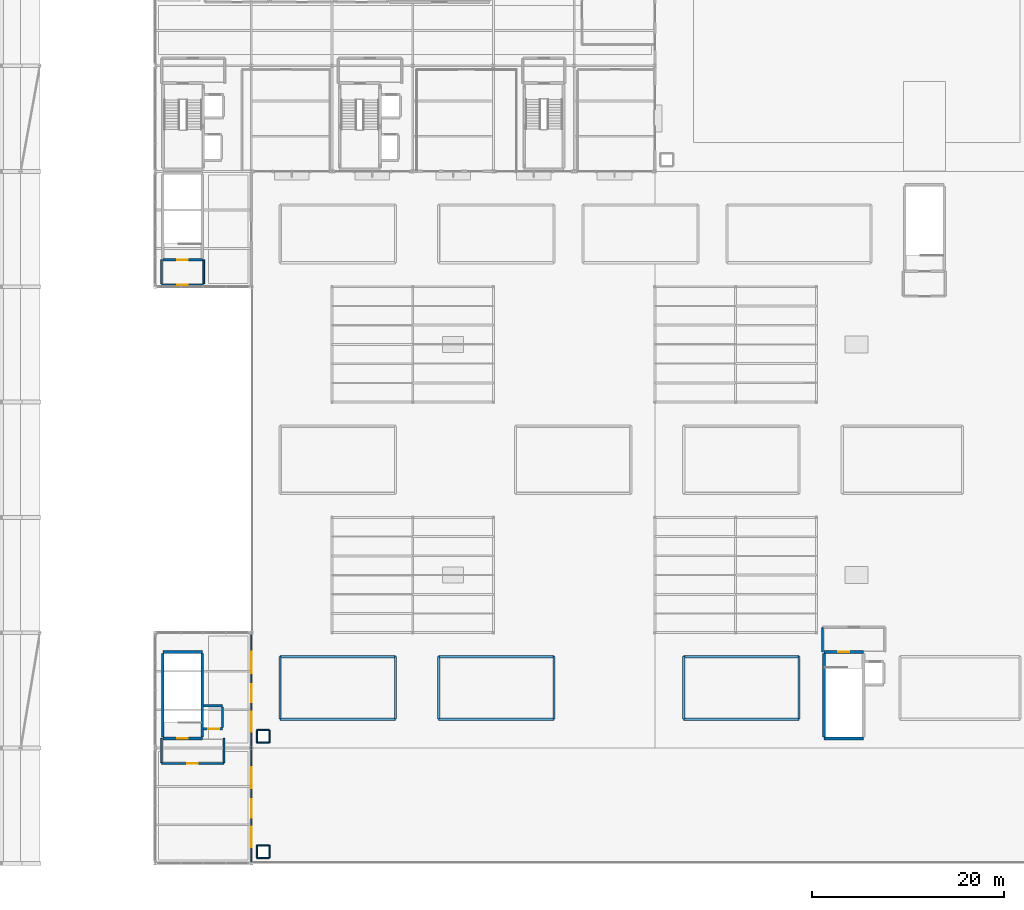
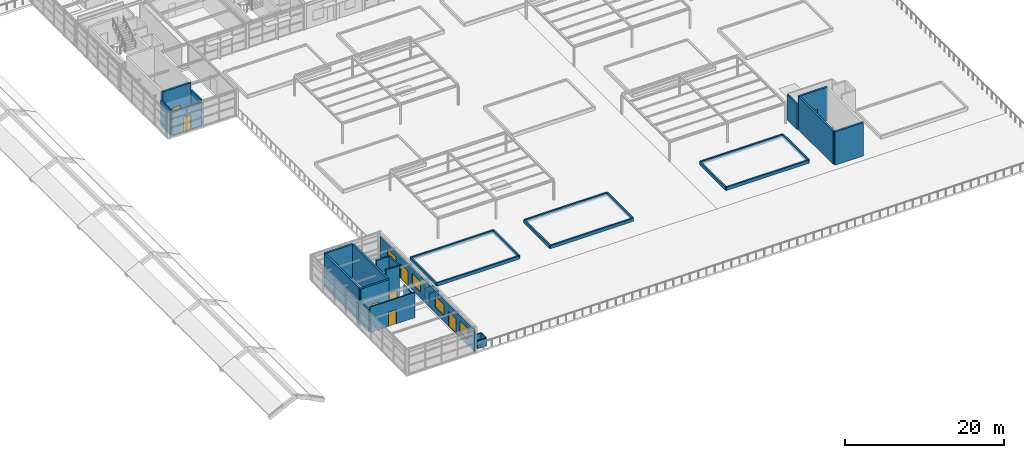
# One storey, part 39 of 49: 40 walls, 8 doors, 4 windows, 12 openings.
"""IFC4 building model written with IfcOpenShell, lengths in metres."""

from ifc_helpers import new_model, si_unit, direction, frame, frame_2d, origin, place, context, subcontext, project, spatial, rectangle, extrude, material, layer, layer_set, type_object, element, fill, save


model = new_model("IFC4")

# Units and contexts
model_context = context("Model", 3, precision=1e-05, world=origin(), true_north=direction((0.0, 1.0)))
body_context = subcontext(model_context, "Body", "Model", "MODEL_VIEW")
ifc_project = project(units=[si_unit("LENGTHUNIT", "METRE"), si_unit("AREAUNIT", "SQUARE_METRE"), si_unit("VOLUMEUNIT", "CUBIC_METRE"), si_unit("PLANEANGLEUNIT", "RADIAN"), si_unit("MASSUNIT", "GRAM", prefix="KILO")], contexts=[model_context])

# Site, building, storey
site_placement = place(None, origin())
site = spatial("IfcSite", under=ifc_project, at=site_placement, CompositionType="ELEMENT")
building_placement = place(site_placement, origin())
building = spatial("IfcBuilding", under=site, at=building_placement, Name="Sitalva Quay Ferry Terminal", CompositionType="ELEMENT")
storey_placement = place(building_placement, frame((0.0, 0.0, 10.199951171875)))
storey = spatial("IfcBuildingStorey", under=building, at=storey_placement, Name="L03", CompositionType="ELEMENT", Elevation=10.199951171875)

# Wall, opening, door
ifc_material_1 = material(Name="Concrete C40/50", Category="concrete")
ifc_layer_1 = layer(ifc_material_1, 0.280029296875)
ifc_layer_set_1 = layer_set([ifc_layer_1], Name="Concrete C40/50")
wall_type_1 = type_object("IfcWallType", Name="Wall_CoreShear_280", PredefinedType="SHEAR", material=ifc_layer_set_1)
wall_1_placement = place(storey_placement, frame((74.800048828125, 19.0, 0.0), z_axis=(0.0, 0.0, 1.0), x_axis=(1.0, 0.0, 0.0)))
wall_1 = element("IfcWall", 1, at=wall_1_placement, inside=storey, type_object=wall_type_1, Name="Core C6 L03 south shear wall", PredefinedType="SHEAR", context=body_context, shape_type="SweptSolid", body=[
    extrude(rectangle(XDim=4.099853515625, YDim=0.280029296875, at=frame_2d((2.0498046875, 0.0))), origin(), (0.0, 0.0, 1.0), 5.10009765625),
])
opening_1_placement = place(wall_1_placement, frame((1.5, 0.0, 0.0)))
opening_1 = element("IfcOpeningElement", 2, at=opening_1_placement, cuts=wall_1, Name="Opening D-L03-024", PredefinedType="OPENING", context=body_context, shape_type="SweptSolid", body=[
    extrude(rectangle(XDim=1.10009765625, YDim=2.199951171875, at=frame_2d((0.550048828125, 1.10009765625))), frame((0.0, 0.14990234375, 0.0), z_axis=(0.0, -1.0, 0.0), x_axis=(1.0, 0.0, 0.0)), (0.0, 0.0, 1.0), 0.300048828125),
])
ifc_material_2 = material(Name="Galvanised Steel Fire Door", Category="steel")
door_type_1 = type_object("IfcDoorType", Name="Door_CoreExit_1100x2200", OperationType="SINGLE_SWING_LEFT", PredefinedType="DOOR", material=ifc_material_2)
door_1_placement = place(opening_1_placement, origin())
door_1 = element("IfcDoor", 3, at=door_1_placement, inside=storey, type_object=door_type_1, Name="DOOR-D-L03-024 Protected stair ST-06 door D-L03-024", OperationType="SINGLE_SWING_RIGHT", OverallHeight=2.199951171875, OverallWidth=1.10009765625, PredefinedType="DOOR", context=body_context, shape_type="SweptSolid", body=[
    extrude(rectangle(XDim=1.10009765625, YDim=2.199951171875, at=frame_2d((0.550048828125, 1.10009765625))), frame((0.0, 0.02490234375, 0.0), z_axis=(0.0, -1.0, 0.0), x_axis=(1.0, 0.0, 0.0)), (0.0, 0.0, 1.0), 0.050048828125),
])
fill(opening_1, door_1)

# Walls
wall_2_placement = place(storey_placement, frame((74.800048828125, 28.0, 0.0), z_axis=(0.0, 0.0, 1.0), x_axis=(1.0, 0.0, 0.0)))
element("IfcWall", 4, at=wall_2_placement, inside=storey, type_object=wall_type_1, Name="Core C6 L03 north shear wall", PredefinedType="SHEAR", context=body_context, shape_type="SweptSolid", body=[
    extrude(rectangle(XDim=4.099853515625, YDim=0.280029296875, at=frame_2d((2.0498046875, 0.0))), origin(), (0.0, 0.0, 1.0), 5.10009765625),
])
for number, where, z_axis, x_axis, name in (
    (5, (74.800048828125, 19.139892578125, 0.0), (0.0, 0.0, 1.0), (0.0, 1.0, 0.0), "Core C6 L03 west shear wall"),
    (6, (78.89990234375, 19.139892578125, 0.0), (0.0, 0.0, 1.0), (0.0, 1.0, 0.0), "Core C6 L03 east shear wall"),
):
    element("IfcWall", number, at=place(storey_placement, frame(where, z_axis=z_axis, x_axis=x_axis)), inside=storey, type_object=wall_type_1, Name=name, PredefinedType="SHEAR", context=body_context, shape_type="SweptSolid", body=[
        extrude(rectangle(XDim=8.72021484375, YDim=0.280029296875, at=frame_2d((4.360107421875, 0.0))), origin(), (0.0, 0.0, 1.0), 5.10009765625),
    ])
wall_3_placement = place(storey_placement, frame((143.60009765625, 19.0, 0.0), z_axis=(0.0, 0.0, 1.0), x_axis=(1.0, 0.0, 0.0)))
element("IfcWall", 7, at=wall_3_placement, inside=storey, type_object=wall_type_1, Name="Core C8 L03 south shear wall", PredefinedType="SHEAR", context=body_context, shape_type="SweptSolid", body=[
    extrude(rectangle(XDim=4.099853515625, YDim=0.280029296875, at=frame_2d((2.0498046875, 0.0))), origin(), (0.0, 0.0, 1.0), 5.10009765625),
])

# Wall, opening, door
wall_4_placement = place(storey_placement, frame((143.60009765625, 28.0, 0.0), z_axis=(0.0, 0.0, 1.0), x_axis=(1.0, 0.0, 0.0)))
wall_4 = element("IfcWall", 8, at=wall_4_placement, inside=storey, type_object=wall_type_1, Name="Core C8 L03 north shear wall", PredefinedType="SHEAR", context=body_context, shape_type="SweptSolid", body=[
    extrude(rectangle(XDim=4.099853515625, YDim=0.280029296875, at=frame_2d((2.0498046875, 0.0))), origin(), (0.0, 0.0, 1.0), 5.10009765625),
])
opening_2_placement = place(wall_4_placement, frame((1.5, 0.0, 0.0)))
opening_2 = element("IfcOpeningElement", 9, at=opening_2_placement, cuts=wall_4, Name="Opening D-L03-031", PredefinedType="OPENING", context=body_context, shape_type="SweptSolid", body=[
    extrude(rectangle(XDim=1.10009765625, YDim=2.199951171875, at=frame_2d((0.550048828125, 1.10009765625))), frame((0.0, 0.14990234375, 0.0), z_axis=(0.0, -1.0, 0.0), x_axis=(1.0, 0.0, 0.0)), (0.0, 0.0, 1.0), 0.300048828125),
])
door_2_placement = place(opening_2_placement, origin())
door_2 = element("IfcDoor", 10, at=door_2_placement, inside=storey, type_object=door_type_1, Name="DOOR-D-L03-031 Protected stair ST-08 door D-L03-031", OperationType="SINGLE_SWING_LEFT", OverallHeight=2.199951171875, OverallWidth=1.10009765625, PredefinedType="DOOR", context=body_context, shape_type="SweptSolid", body=[
    extrude(rectangle(XDim=1.10009765625, YDim=2.199951171875, at=frame_2d((0.550048828125, 1.10009765625))), frame((0.0, 0.02490234375, 0.0), z_axis=(0.0, -1.0, 0.0), x_axis=(1.0, 0.0, 0.0)), (0.0, 0.0, 1.0), 0.050048828125),
])
fill(opening_2, door_2)

# Wall
wall_5_placement = place(storey_placement, frame((143.60009765625, 19.139892578125, 0.0), z_axis=(0.0, 0.0, 1.0), x_axis=(0.0, 1.0, 0.0)))
element("IfcWall", 11, at=wall_5_placement, inside=storey, type_object=wall_type_1, Name="Core C8 L03 west shear wall", PredefinedType="SHEAR", context=body_context, shape_type="SweptSolid", body=[
    extrude(rectangle(XDim=8.72021484375, YDim=0.280029296875, at=frame_2d((4.360107421875, 0.0))), origin(), (0.0, 0.0, 1.0), 5.10009765625),
])

# Wall, opening, door
wall_6_placement = place(storey_placement, frame((74.800048828125, 68.800048828125, 0.0), z_axis=(0.0, 0.0, 1.0), x_axis=(1.0, 0.0, 0.0)))
wall_6 = element("IfcWall", 12, at=wall_6_placement, inside=storey, type_object=wall_type_1, Name="Core C11 L03 south shear wall", PredefinedType="SHEAR", context=body_context, shape_type="SweptSolid", body=[
    extrude(rectangle(XDim=4.099853515625, YDim=0.280029296875, at=frame_2d((2.0498046875, 0.0))), origin(), (0.0, 0.0, 1.0), 5.10009765625),
])
opening_3_placement = place(wall_6_placement, frame((1.5, 0.0, 0.0)))
opening_3 = element("IfcOpeningElement", 13, at=opening_3_placement, cuts=wall_6, Name="Opening D-L03-041", PredefinedType="OPENING", context=body_context, shape_type="SweptSolid", body=[
    extrude(rectangle(XDim=1.10009765625, YDim=2.199951171875, at=frame_2d((0.550048828125, 1.10009765625))), frame((0.0, 0.14990234375, 0.0), z_axis=(0.0, -1.0, 0.0), x_axis=(1.0, 0.0, 0.0)), (0.0, 0.0, 1.0), 0.300048828125),
])
door_3_placement = place(opening_3_placement, origin())
door_3 = element("IfcDoor", 14, at=door_3_placement, inside=storey, type_object=door_type_1, Name="DOOR-D-L03-041 Protected stair ST-13 door D-L03-041", OperationType="SINGLE_SWING_LEFT", OverallHeight=2.199951171875, OverallWidth=1.10009765625, PredefinedType="DOOR", context=body_context, shape_type="SweptSolid", body=[
    extrude(rectangle(XDim=1.10009765625, YDim=2.199951171875, at=frame_2d((0.550048828125, 1.10009765625))), frame((0.0, 0.02490234375, 0.0), z_axis=(0.0, -1.0, 0.0), x_axis=(1.0, 0.0, 0.0)), (0.0, 0.0, 1.0), 0.050048828125),
])
fill(opening_3, door_3)

# Wall, openings, door, windows
ifc_material_3 = material(Name="Architectural Concrete C40/50", Category="concrete")
ifc_layer_2 = layer(ifc_material_3, 0.18994140625)
ifc_layer_set_2 = layer_set([ifc_layer_2], Name="Architectural Concrete C40/50")
wall_type_2 = type_object("IfcWallType", Name="Wall_ExtSpandrel_190", PredefinedType="SOLIDWALL", material=ifc_layer_set_2)
wall_7_placement = place(storey_placement, frame((84.0, 6.111572265625, 0.0), z_axis=(0.0, 0.0, 1.0), x_axis=(0.0, 1.0, 0.0)))
wall_7 = element("IfcWall", 15, at=wall_7_placement, inside=storey, type_object=wall_type_2, Name="L03 promenade pavilion east portal wall EW-L03-122", PredefinedType="SOLIDWALL", context=body_context, shape_type="SweptSolid", body=[
    extrude(rectangle(XDim=12.035400390625, YDim=0.18994140625, at=frame_2d((6.017578125, 0.0))), origin(), (0.0, 0.0, 1.0), 3.3701171875),
])
opening_4_placement = place(wall_7_placement, frame((4.638427734375, 0.0, 0.0)))
opening_4 = element("IfcOpeningElement", 16, at=opening_4_placement, cuts=wall_7, Name="Opening ED-L03-017", PredefinedType="OPENING", context=body_context, shape_type="SweptSolid", body=[
    extrude(rectangle(XDim=1.89990234375, YDim=2.280029296875, at=frame_2d((0.949951171875, 1.14013671875))), frame((0.0, 0.10498046875, 0.0), z_axis=(0.0, -1.0, 0.0), x_axis=(1.0, 0.0, 0.0)), (0.0, 0.0, 1.0), 0.2099609375),
])
opening_5_placement = place(wall_7_placement, frame((1.58837890625, 0.0, 0.89990234375)))
opening_5 = element("IfcOpeningElement", 17, at=opening_5_placement, cuts=wall_7, Name="Opening WN-L03-006", PredefinedType="OPENING", context=body_context, shape_type="SweptSolid", body=[
    extrude(rectangle(XDim=2.10009765625, YDim=1.64990234375, at=frame_2d((1.050048828125, 0.824951171875))), frame((0.0, 0.10498046875, 0.0), z_axis=(0.0, -1.0, 0.0), x_axis=(1.0, 0.0, 0.0)), (0.0, 0.0, 1.0), 0.2099609375),
])
opening_6_placement = place(wall_7_placement, frame((7.6884765625, 0.0, 0.89990234375)))
opening_6 = element("IfcOpeningElement", 18, at=opening_6_placement, cuts=wall_7, Name="Opening WN-L03-007", PredefinedType="OPENING", context=body_context, shape_type="SweptSolid", body=[
    extrude(rectangle(XDim=2.199951171875, YDim=1.699951171875, at=frame_2d((1.10009765625, 0.85009765625))), frame((0.0, 0.10498046875, 0.0), z_axis=(0.0, -1.0, 0.0), x_axis=(1.0, 0.0, 0.0)), (0.0, 0.0, 1.0), 0.2099609375),
])
ifc_material_4 = material(Name="Anodised Aluminium & Low-E Glass", Category="aluminium")
door_type_2 = type_object("IfcDoorType", Name="Door_Promenade_1900x2280", OperationType="DOUBLE_DOOR_SINGLE_SWING", PredefinedType="DOOR", material=ifc_material_4)
door_4_placement = place(opening_4_placement, origin())
door_4 = element("IfcDoor", 19, at=door_4_placement, inside=storey, type_object=door_type_2, Name="EDOOR-ED-L03-017 L03 waterfront promenade & roof park terrace door ED-L03-017", OperationType="DOUBLE_DOOR_SINGLE_SWING", OverallHeight=2.280029296875, OverallWidth=1.89990234375, PredefinedType="DOOR", context=body_context, shape_type="SweptSolid", body=[
    extrude(rectangle(XDim=1.89990234375, YDim=2.280029296875, at=frame_2d((0.949951171875, 1.14013671875))), frame((0.0, 0.02490234375, 0.0), z_axis=(0.0, -1.0, 0.0), x_axis=(1.0, 0.0, 0.0)), (0.0, 0.0, 1.0), 0.050048828125),
])
fill(opening_4, door_4)
ifc_material_5 = material(Name="Anodised Aluminium & Low-E Glass", Category="aluminium")
window_type_1 = type_object("IfcWindowType", Name="Win_Gallery_2200x1700", PartitioningType="SINGLE_PANEL", PredefinedType="WINDOW", material=ifc_material_5)
window_1_placement = place(opening_6_placement, origin())
window_1 = element("IfcWindow", 20, at=window_1_placement, inside=storey, type_object=window_type_1, Name="Promenade cafe window WN-L03-007", OverallHeight=1.699951171875, OverallWidth=2.199951171875, PartitioningType="SINGLE_PANEL", PredefinedType="WINDOW", context=body_context, shape_type="SweptSolid", body=[
    extrude(rectangle(XDim=2.199951171875, YDim=1.699951171875, at=frame_2d((1.10009765625, 0.85009765625))), frame((0.0, 0.030029296875, 0.0), z_axis=(0.0, -1.0, 0.0), x_axis=(1.0, 0.0, 0.0)), (0.0, 0.0, 1.0), 0.06005859375),
])
fill(opening_6, window_1)
ifc_material_6 = material(Name="Anodised Aluminium & Low-E Glass", Category="aluminium")
window_type_2 = type_object("IfcWindowType", Name="Win_Pavilion_2100x1650", PartitioningType="SINGLE_PANEL", PredefinedType="WINDOW", material=ifc_material_6)
window_2_placement = place(opening_5_placement, origin())
window_2 = element("IfcWindow", 21, at=window_2_placement, inside=storey, type_object=window_type_2, Name="Promenade cafe window WN-L03-006", OverallHeight=1.64990234375, OverallWidth=2.10009765625, PartitioningType="SINGLE_PANEL", PredefinedType="WINDOW", context=body_context, shape_type="SweptSolid", body=[
    extrude(rectangle(XDim=2.10009765625, YDim=1.64990234375, at=frame_2d((1.050048828125, 0.824951171875))), frame((0.0, 0.030029296875, 0.0), z_axis=(0.0, -1.0, 0.0), x_axis=(1.0, 0.0, 0.0)), (0.0, 0.0, 1.0), 0.06005859375),
])
fill(opening_5, window_2)

wall_8_placement = place(storey_placement, frame((84.0, 18.135009765625, 0.0), z_axis=(0.0, 0.0, 1.0), x_axis=(0.0, 1.0, 0.0)))
wall_8 = element("IfcWall", 22, at=wall_8_placement, inside=storey, type_object=wall_type_2, Name="L03 promenade pavilion east portal wall EW-L03-123", PredefinedType="SOLIDWALL", context=body_context, shape_type="SweptSolid", body=[
    extrude(rectangle(XDim=11.72998046875, YDim=0.18994140625, at=frame_2d((5.864990234375, 0.0))), origin(), (0.0, 0.0, 1.0), 3.3701171875),
])
opening_7_placement = place(wall_8_placement, frame((4.614990234375, 0.0, 0.0)))
opening_7 = element("IfcOpeningElement", 23, at=opening_7_placement, cuts=wall_8, Name="Opening ED-L03-018", PredefinedType="OPENING", context=body_context, shape_type="SweptSolid", body=[
    extrude(rectangle(XDim=1.89990234375, YDim=2.280029296875, at=frame_2d((0.949951171875, 1.14013671875))), frame((0.0, 0.10498046875, 0.0), z_axis=(0.0, -1.0, 0.0), x_axis=(1.0, 0.0, 0.0)), (0.0, 0.0, 1.0), 0.2099609375),
])
opening_8_placement = place(wall_8_placement, frame((1.56494140625, 0.0, 0.89990234375)))
opening_8 = element("IfcOpeningElement", 24, at=opening_8_placement, cuts=wall_8, Name="Opening WN-L03-008", PredefinedType="OPENING", context=body_context, shape_type="SweptSolid", body=[
    extrude(rectangle(XDim=2.10009765625, YDim=1.64990234375, at=frame_2d((1.050048828125, 0.824951171875))), frame((0.0, 0.10498046875, 0.0), z_axis=(0.0, -1.0, 0.0), x_axis=(1.0, 0.0, 0.0)), (0.0, 0.0, 1.0), 0.2099609375),
])
opening_9_placement = place(wall_8_placement, frame((7.6650390625, 0.0, 0.89990234375)))
opening_9 = element("IfcOpeningElement", 25, at=opening_9_placement, cuts=wall_8, Name="Opening WN-L03-009", PredefinedType="OPENING", context=body_context, shape_type="SweptSolid", body=[
    extrude(rectangle(XDim=2.199951171875, YDim=1.699951171875, at=frame_2d((1.10009765625, 0.85009765625))), frame((0.0, 0.10498046875, 0.0), z_axis=(0.0, -1.0, 0.0), x_axis=(1.0, 0.0, 0.0)), (0.0, 0.0, 1.0), 0.2099609375),
])
door_5_placement = place(opening_7_placement, origin())
door_5 = element("IfcDoor", 26, at=door_5_placement, inside=storey, type_object=door_type_2, Name="EDOOR-ED-L03-018 L03 waterfront promenade & roof park terrace door ED-L03-018", OperationType="DOUBLE_DOOR_SINGLE_SWING", OverallHeight=2.280029296875, OverallWidth=1.89990234375, PredefinedType="DOOR", context=body_context, shape_type="SweptSolid", body=[
    extrude(rectangle(XDim=1.89990234375, YDim=2.280029296875, at=frame_2d((0.949951171875, 1.14013671875))), frame((0.0, 0.02490234375, 0.0), z_axis=(0.0, -1.0, 0.0), x_axis=(1.0, 0.0, 0.0)), (0.0, 0.0, 1.0), 0.050048828125),
])
fill(opening_7, door_5)
window_3_placement = place(opening_9_placement, origin())
window_3 = element("IfcWindow", 27, at=window_3_placement, inside=storey, type_object=window_type_1, Name="Promenade cafe window WN-L03-009", OverallHeight=1.699951171875, OverallWidth=2.199951171875, PartitioningType="SINGLE_PANEL", PredefinedType="WINDOW", context=body_context, shape_type="SweptSolid", body=[
    extrude(rectangle(XDim=2.199951171875, YDim=1.699951171875, at=frame_2d((1.10009765625, 0.85009765625))), frame((0.0, 0.030029296875, 0.0), z_axis=(0.0, -1.0, 0.0), x_axis=(1.0, 0.0, 0.0)), (0.0, 0.0, 1.0), 0.06005859375),
])
fill(opening_9, window_3)
window_4_placement = place(opening_8_placement, origin())
window_4 = element("IfcWindow", 28, at=window_4_placement, inside=storey, type_object=window_type_2, Name="Promenade cafe window WN-L03-008", OverallHeight=1.64990234375, OverallWidth=2.10009765625, PartitioningType="SINGLE_PANEL", PredefinedType="WINDOW", context=body_context, shape_type="SweptSolid", body=[
    extrude(rectangle(XDim=2.10009765625, YDim=1.64990234375, at=frame_2d((1.050048828125, 0.824951171875))), frame((0.0, 0.030029296875, 0.0), z_axis=(0.0, -1.0, 0.0), x_axis=(1.0, 0.0, 0.0)), (0.0, 0.0, 1.0), 0.06005859375),
])
fill(opening_8, window_4)

# Wall, opening, door
ifc_material_7 = material(Name="Fire-Rated Blockwork C25/30", Category="masonry")
ifc_layer_3 = layer(ifc_material_7, 0.179931640625)
ifc_layer_set_3 = layer_set([ifc_layer_3], Name="Fire-Rated Blockwork C25/30")
wall_type_3 = type_object("IfcWallType", Name="Wall_FireLobby_180", PredefinedType="SOLIDWALL", material=ifc_layer_set_3)
wall_9_placement = place(storey_placement, frame((74.64990234375, 16.39990234375, 0.0), z_axis=(0.0, 0.0, 1.0), x_axis=(1.0, 0.0, 0.0)))
wall_9 = element("IfcWall", 29, at=wall_9_placement, inside=storey, type_object=wall_type_3, Name="Firefighting & Lift Lobby C6 S wall IW-L03-0064", PredefinedType="SOLIDWALL", context=body_context, shape_type="SweptSolid", body=[
    extrude(rectangle(XDim=6.5, YDim=0.179931640625, at=frame_2d((3.25, 0.0))), origin(), (0.0, 0.0, 1.0), 3.900146484375),
])
opening_10_placement = place(wall_9_placement, frame((2.699951171875, 0.0, 0.0)))
opening_10 = element("IfcOpeningElement", 30, at=opening_10_placement, cuts=wall_9, Name="Opening ID-L03-022", PredefinedType="OPENING", context=body_context, shape_type="SweptSolid", body=[
    extrude(rectangle(XDim=1.10009765625, YDim=2.199951171875, at=frame_2d((0.550048828125, 1.10009765625))), frame((0.0, 0.099853515625, 0.0), z_axis=(0.0, -1.0, 0.0), x_axis=(1.0, 0.0, 0.0)), (0.0, 0.0, 1.0), 0.199951171875),
])
ifc_material_8 = material(Name="Steel Fire Door", Category="steel")
door_type_3 = type_object("IfcDoorType", Name="Door_FireLobby_1100x2200", OperationType="SINGLE_SWING_LEFT", PredefinedType="DOOR", material=ifc_material_8)
door_6_placement = place(opening_10_placement, origin())
door_6 = element("IfcDoor", 31, at=door_6_placement, inside=storey, type_object=door_type_3, Name="IDOOR-ID-L03-022 Firefighting & Lift Lobby C6 entrance ID-L03-022", OperationType="SINGLE_SWING_RIGHT", OverallHeight=2.199951171875, OverallWidth=1.10009765625, PredefinedType="DOOR", context=body_context, shape_type="SweptSolid", body=[
    extrude(rectangle(XDim=1.10009765625, YDim=2.199951171875, at=frame_2d((0.550048828125, 1.10009765625))), frame((0.0, 0.02490234375, 0.0), z_axis=(0.0, -1.0, 0.0), x_axis=(1.0, 0.0, 0.0)), (0.0, 0.0, 1.0), 0.050048828125),
])
fill(opening_10, door_6)

# Walls
for number, where, z_axis, x_axis, name in (
    (32, (74.64990234375, 16.489990234375, 0.0), (0.0, 0.0, 1.0), (0.0, 1.0, 0.0), "Firefighting & Lift Lobby C6 W wall IW-L03-0065"),
    (33, (81.14990234375, 16.489990234375, 0.0), (0.0, 0.0, 1.0), (0.0, 1.0, 0.0), "Firefighting & Lift Lobby C6 E wall IW-L03-0066"),
):
    element("IfcWall", number, at=place(storey_placement, frame(where, z_axis=z_axis, x_axis=x_axis)), inside=storey, type_object=wall_type_3, Name=name, PredefinedType="SOLIDWALL", context=body_context, shape_type="SweptSolid", body=[
        extrude(rectangle(XDim=2.510009765625, YDim=0.179931640625, at=frame_2d((1.2548828125, 0.0))), origin(), (0.0, 0.0, 1.0), 3.447021484375),
    ])
wall_10_placement = place(storey_placement, frame((143.449951171875, 28.0, 0.0), z_axis=(0.0, 0.0, 1.0), x_axis=(0.0, 1.0, 0.0)))
element("IfcWall", 34, at=wall_10_placement, inside=storey, type_object=wall_type_3, Name="Firefighting & Lift Lobby C8 W wall IW-L03-0080", PredefinedType="SOLIDWALL", context=body_context, shape_type="SweptSolid", body=[
    extrude(rectangle(XDim=2.510009765625, YDim=0.179931640625, at=frame_2d((1.2548828125, 0.0))), origin(), (0.0, 0.0, 1.0), 3.900146484375),
])

# Wall, opening, door
wall_11_placement = place(storey_placement, frame((74.64990234375, 66.199951171875, 0.0), z_axis=(0.0, 0.0, 1.0), x_axis=(1.0, 0.0, 0.0)))
wall_11 = element("IfcWall", 35, at=wall_11_placement, inside=storey, type_object=wall_type_3, Name="Firefighting & Lift Lobby C11 S wall IW-L03-0102", PredefinedType="SOLIDWALL", context=body_context, shape_type="SweptSolid", body=[
    extrude(rectangle(XDim=4.400146484375, YDim=0.179931640625, at=frame_2d((2.2001953125, 0.0))), origin(), (0.0, 0.0, 1.0), 3.656982421875),
])
opening_11_placement = place(wall_11_placement, frame((1.64990234375, 0.0, 0.0)))
opening_11 = element("IfcOpeningElement", 36, at=opening_11_placement, cuts=wall_11, Name="Opening ID-L03-035", PredefinedType="OPENING", context=body_context, shape_type="SweptSolid", body=[
    extrude(rectangle(XDim=1.10009765625, YDim=2.199951171875, at=frame_2d((0.550048828125, 1.10009765625))), frame((0.0, 0.099853515625, 0.0), z_axis=(0.0, -1.0, 0.0), x_axis=(1.0, 0.0, 0.0)), (0.0, 0.0, 1.0), 0.199951171875),
])
door_7_placement = place(opening_11_placement, origin())
door_7 = element("IfcDoor", 37, at=door_7_placement, inside=storey, type_object=door_type_3, Name="IDOOR-ID-L03-035 Firefighting & Lift Lobby C11 entrance ID-L03-035", OperationType="SINGLE_SWING_LEFT", OverallHeight=2.199951171875, OverallWidth=1.10009765625, PredefinedType="DOOR", context=body_context, shape_type="SweptSolid", body=[
    extrude(rectangle(XDim=1.10009765625, YDim=2.199951171875, at=frame_2d((0.550048828125, 1.10009765625))), frame((0.0, 0.02490234375, 0.0), z_axis=(0.0, -1.0, 0.0), x_axis=(1.0, 0.0, 0.0)), (0.0, 0.0, 1.0), 0.050048828125),
])
fill(opening_11, door_7)

# Walls
for number, where, z_axis, x_axis, name in (
    (38, (74.64990234375, 66.2900390625, 0.0), (0.0, 0.0, 1.0), (0.0, 1.0, 0.0), "Firefighting & Lift Lobby C11 W wall IW-L03-0103"),
    (39, (79.050048828125, 66.2900390625, 0.0), (0.0, 0.0, 1.0), (0.0, 1.0, 0.0), "Firefighting & Lift Lobby C11 E wall IW-L03-0104"),
):
    element("IfcWall", number, at=place(storey_placement, frame(where, z_axis=z_axis, x_axis=x_axis)), inside=storey, type_object=wall_type_3, Name=name, PredefinedType="SOLIDWALL", context=body_context, shape_type="SweptSolid", body=[
        extrude(rectangle(XDim=2.510009765625, YDim=0.179931640625, at=frame_2d((1.2548828125, 0.0))), origin(), (0.0, 0.0, 1.0), 3.900146484375),
    ])

# Wall, opening, door
ifc_material_9 = material(Name="Concrete C35/45", Category="concrete")
ifc_layer_4 = layer(ifc_material_9, 0.25)
ifc_layer_set_4 = layer_set([ifc_layer_4], Name="Concrete C35/45")
wall_type_4 = type_object("IfcWallType", Name="Wall_LiftShaft_250", PredefinedType="SOLIDWALL", material=ifc_layer_set_4)
wall_12_placement = place(storey_placement, frame((79.044921875, 20.0, 0.0), z_axis=(0.0, 0.0, 1.0), x_axis=(1.0, 0.0, 0.0)))
wall_12 = element("IfcWall", 40, at=wall_12_placement, inside=storey, type_object=wall_type_4, Name="Lift LF-06 L03 south shaft wall", PredefinedType="SOLIDWALL", context=body_context, shape_type="SweptSolid", body=[
    extrude(rectangle(XDim=1.955078125, YDim=0.25, at=frame_2d((0.9775390625, 0.0))), origin(), (0.0, 0.0, 1.0), 5.880126953125),
])
opening_12_placement = place(wall_12_placement, frame((0.5, 0.0, 0.0)))
opening_12 = element("IfcOpeningElement", 41, at=opening_12_placement, cuts=wall_12, Name="Opening LD-LF-06-L03", PredefinedType="OPENING", context=body_context, shape_type="SweptSolid", body=[
    extrude(rectangle(XDim=1.10009765625, YDim=2.199951171875, at=frame_2d((0.550048828125, 1.10009765625))), frame((0.0, 0.135009765625, 0.0), z_axis=(0.0, -1.0, 0.0), x_axis=(1.0, 0.0, 0.0)), (0.0, 0.0, 1.0), 0.27001953125),
])
ifc_material_10 = material(Name="Stainless Steel 316L Fire Landing Door", Category="steel")
door_type_4 = type_object("IfcDoorType", Name="Door_LiftLanding_1100x2200", OperationType="SLIDING_TO_LEFT", PredefinedType="DOOR", material=ifc_material_10)
door_8_placement = place(opening_12_placement, origin())
door_8 = element("IfcDoor", 42, at=door_8_placement, inside=storey, type_object=door_type_4, Name="DOOR-LD-LF-06-L03 Lift LF-06 sliding landing door LD-LF-06-L03", OperationType="SLIDING_TO_LEFT", OverallHeight=2.199951171875, OverallWidth=1.10009765625, PredefinedType="DOOR", context=body_context, shape_type="SweptSolid", body=[
    extrude(rectangle(XDim=1.10009765625, YDim=2.199951171875, at=frame_2d((0.550048828125, 1.10009765625))), frame((0.0, 0.02490234375, 0.0), z_axis=(0.0, -1.0, 0.0), x_axis=(1.0, 0.0, 0.0)), (0.0, 0.0, 1.0), 0.050048828125),
])
fill(opening_12, door_8)

# Walls
wall_13_placement = place(storey_placement, frame((79.044921875, 22.39990234375, 0.0), z_axis=(0.0, 0.0, 1.0), x_axis=(1.0, 0.0, 0.0)))
element("IfcWall", 43, at=wall_13_placement, inside=storey, type_object=wall_type_4, Name="Lift LF-06 L03 north shaft wall", PredefinedType="SOLIDWALL", context=body_context, shape_type="SweptSolid", body=[
    extrude(rectangle(XDim=1.955078125, YDim=0.25, at=frame_2d((0.9775390625, 0.0))), origin(), (0.0, 0.0, 1.0), 5.880126953125),
])
wall_14_placement = place(storey_placement, frame((81.0, 20.125, 0.0), z_axis=(0.0, 0.0, 1.0), x_axis=(0.0, 1.0, 0.0)))
element("IfcWall", 44, at=wall_14_placement, inside=storey, type_object=wall_type_4, Name="Lift LF-06 L03 east shaft wall", PredefinedType="SOLIDWALL", context=body_context, shape_type="SweptSolid", body=[
    extrude(rectangle(XDim=2.14990234375, YDim=0.25, at=frame_2d((1.074951171875, 0.0))), origin(), (0.0, 0.0, 1.0), 5.880126953125),
])
ifc_material_11 = material(Name="Concrete C35/45", Category="concrete")
ifc_layer_5 = layer(ifc_material_11, 0.219970703125)
ifc_layer_set_5 = layer_set([ifc_layer_5], Name="Concrete C35/45")
wall_type_5 = type_object("IfcWallType", Name="Wall_PlanterKerb_220", PredefinedType="PARAPET", material=ifc_layer_set_5)
for number, where, z_axis, x_axis, name in (
    (45, (87.0, 21.0, 0.0), (0.0, 0.0, 1.0), (1.0, 0.0, 0.0), "Roof park planted parterre 01 kerb S"),
    (46, (87.0, 27.5, 0.0), (0.0, 0.0, 1.0), (1.0, 0.0, 0.0), "Roof park planted parterre 01 kerb N"),
):
    element("IfcWall", number, at=place(storey_placement, frame(where, z_axis=z_axis, x_axis=x_axis)), inside=storey, type_object=wall_type_5, Name=name, PredefinedType="PARAPET", context=body_context, shape_type="SweptSolid", body=[
        extrude(rectangle(XDim=12.0, YDim=0.219970703125, at=frame_2d((6.0, 0.0))), origin(), (0.0, 0.0, 1.0), 0.47998046875),
    ])
for number, where, z_axis, x_axis, name in (
    (47, (87.0, 21.0, 0.0), (0.0, 0.0, 1.0), (0.0, 1.0, 0.0), "Roof park planted parterre 01 kerb W"),
    (48, (99.0, 21.0, 0.0), (0.0, 0.0, 1.0), (0.0, 1.0, 0.0), "Roof park planted parterre 01 kerb E"),
):
    element("IfcWall", number, at=place(storey_placement, frame(where, z_axis=z_axis, x_axis=x_axis)), inside=storey, type_object=wall_type_5, Name=name, PredefinedType="PARAPET", context=body_context, shape_type="SweptSolid", body=[
        extrude(rectangle(XDim=6.5, YDim=0.219970703125, at=frame_2d((3.25, 0.0))), origin(), (0.0, 0.0, 1.0), 0.47998046875),
    ])
for number, where, z_axis, x_axis, name in (
    (49, (103.5, 21.0, 0.0), (0.0, 0.0, 1.0), (1.0, 0.0, 0.0), "Roof park planted parterre 02 kerb S"),
    (50, (103.5, 27.5, 0.0), (0.0, 0.0, 1.0), (1.0, 0.0, 0.0), "Roof park planted parterre 02 kerb N"),
):
    element("IfcWall", number, at=place(storey_placement, frame(where, z_axis=z_axis, x_axis=x_axis)), inside=storey, type_object=wall_type_5, Name=name, PredefinedType="PARAPET", context=body_context, shape_type="SweptSolid", body=[
        extrude(rectangle(XDim=12.0, YDim=0.219970703125, at=frame_2d((6.0, 0.0))), origin(), (0.0, 0.0, 1.0), 0.47998046875),
    ])
for number, where, z_axis, x_axis, name in (
    (51, (103.5, 21.0, 0.0), (0.0, 0.0, 1.0), (0.0, 1.0, 0.0), "Roof park planted parterre 02 kerb W"),
    (52, (115.5, 21.0, 0.0), (0.0, 0.0, 1.0), (0.0, 1.0, 0.0), "Roof park planted parterre 02 kerb E"),
):
    element("IfcWall", number, at=place(storey_placement, frame(where, z_axis=z_axis, x_axis=x_axis)), inside=storey, type_object=wall_type_5, Name=name, PredefinedType="PARAPET", context=body_context, shape_type="SweptSolid", body=[
        extrude(rectangle(XDim=6.5, YDim=0.219970703125, at=frame_2d((3.25, 0.0))), origin(), (0.0, 0.0, 1.0), 0.47998046875),
    ])
for number, where, z_axis, x_axis, name in (
    (53, (129.0, 21.0, 0.0), (0.0, 0.0, 1.0), (1.0, 0.0, 0.0), "Roof park planted parterre 03 kerb S"),
    (54, (129.0, 27.5, 0.0), (0.0, 0.0, 1.0), (1.0, 0.0, 0.0), "Roof park planted parterre 03 kerb N"),
):
    element("IfcWall", number, at=place(storey_placement, frame(where, z_axis=z_axis, x_axis=x_axis)), inside=storey, type_object=wall_type_5, Name=name, PredefinedType="PARAPET", context=body_context, shape_type="SweptSolid", body=[
        extrude(rectangle(XDim=12.0, YDim=0.219970703125, at=frame_2d((6.0, 0.0))), origin(), (0.0, 0.0, 1.0), 0.47998046875),
    ])
for number, where, z_axis, x_axis, name in (
    (55, (129.0, 21.0, 0.0), (0.0, 0.0, 1.0), (0.0, 1.0, 0.0), "Roof park planted parterre 03 kerb W"),
    (56, (141.0, 21.0, 0.0), (0.0, 0.0, 1.0), (0.0, 1.0, 0.0), "Roof park planted parterre 03 kerb E"),
):
    element("IfcWall", number, at=place(storey_placement, frame(where, z_axis=z_axis, x_axis=x_axis)), inside=storey, type_object=wall_type_5, Name=name, PredefinedType="PARAPET", context=body_context, shape_type="SweptSolid", body=[
        extrude(rectangle(XDim=6.5, YDim=0.219970703125, at=frame_2d((3.25, 0.0))), origin(), (0.0, 0.0, 1.0), 0.47998046875),
    ])
ifc_material_12 = material(Name="Concrete C35/45", Category="concrete")
ifc_layer_6 = layer(ifc_material_12, 0.14990234375)
ifc_layer_set_6 = layer_set([ifc_layer_6], Name="Concrete C35/45")
wall_type_6 = type_object("IfcWallType", Name="Wall_RiserShaft_150", PredefinedType="PLUMBINGWALL", material=ifc_layer_set_6)
for number, where, z_axis, x_axis, name in (
    (57, (84.574951171875, 6.574951171875, 0.0), (0.0, 0.0, 1.0), (1.0, 0.0, 0.0), "L03 service riser 007 wall S"),
    (58, (84.574951171875, 7.875, 0.0), (0.0, 0.0, 1.0), (1.0, 0.0, 0.0), "L03 service riser 007 wall N"),
    (59, (84.574951171875, 6.574951171875, 0.0), (0.0, 0.0, 1.0), (0.0, 1.0, 0.0), "L03 service riser 007 wall W"),
    (60, (85.875, 6.574951171875, 0.0), (0.0, 0.0, 1.0), (0.0, 1.0, 0.0), "L03 service riser 007 wall E"),
    (61, (84.574951171875, 18.574951171875, 0.0), (0.0, 0.0, 1.0), (1.0, 0.0, 0.0), "L03 service riser 008 wall S"),
    (62, (84.574951171875, 19.875, 0.0), (0.0, 0.0, 1.0), (1.0, 0.0, 0.0), "L03 service riser 008 wall N"),
    (63, (84.574951171875, 18.574951171875, 0.0), (0.0, 0.0, 1.0), (0.0, 1.0, 0.0), "L03 service riser 008 wall W"),
    (64, (85.875, 18.574951171875, 0.0), (0.0, 0.0, 1.0), (0.0, 1.0, 0.0), "L03 service riser 008 wall E"),
):
    element("IfcWall", number, at=place(storey_placement, frame(where, z_axis=z_axis, x_axis=x_axis)), inside=storey, type_object=wall_type_6, Name=name, PredefinedType="PLUMBINGWALL", context=body_context, shape_type="SweptSolid", body=[
        extrude(rectangle(XDim=1.300048828125, YDim=0.14990234375, at=frame_2d((0.64990234375, 0.0))), origin(), (0.0, 0.0, 1.0), 1.199951171875),
    ])

save(model, "model.ifc")
